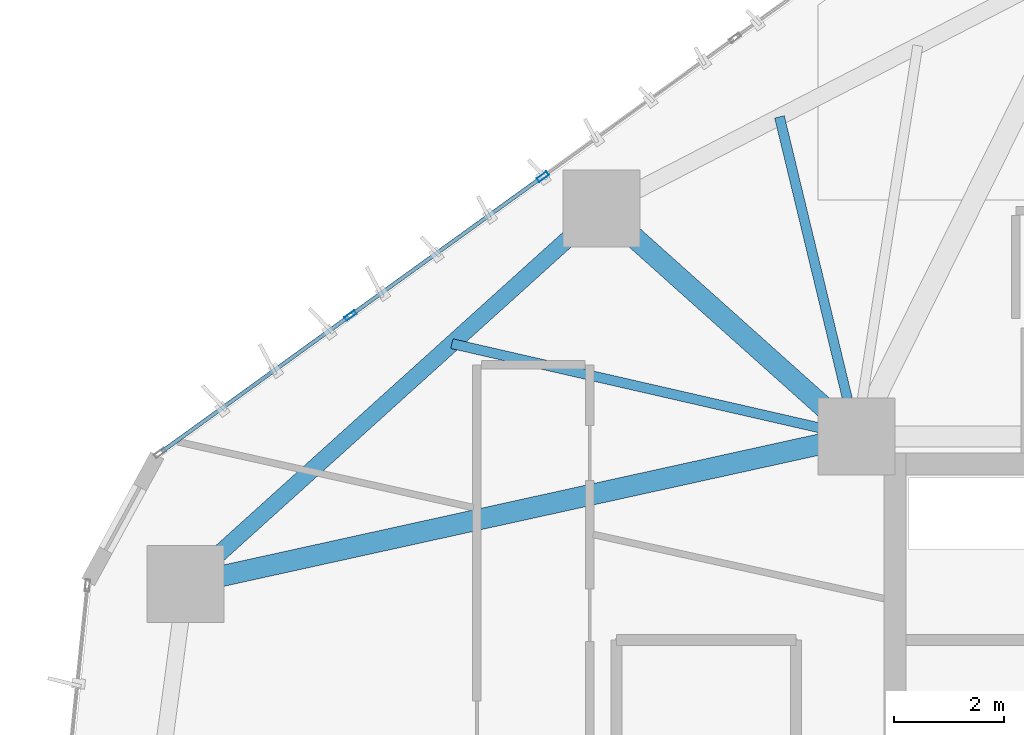
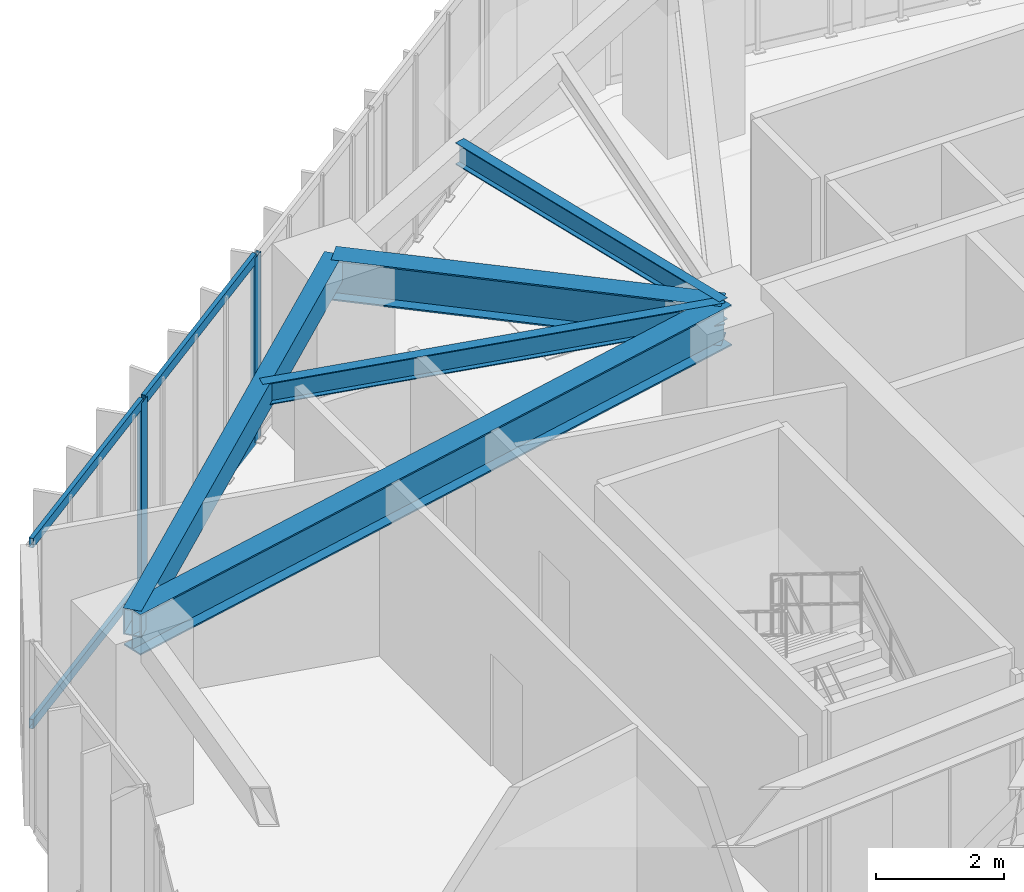
# One storey, part 7 of 22: 6 members, 5 beams, 1 element without a shape of its own.
"""IFC4 building model written with IfcOpenShell, lengths in metres."""

from ifc_helpers import new_model, si_unit, direction, frame, origin, origin_2d, place, context, subcontext, project, spatial, hollow_rectangle, i_section, extrude, source, transform, mapped, material, layer, layer_set, material_profile, profile_set, type_object, type_shapes, element, aggregate, save


model = new_model("IFC4")

# Units and contexts
model_context = context("Model", 3, precision=1e-05, world=origin(), true_north=direction((0.0, 1.0)))
body_context = subcontext(model_context, "Body", "Model", "MODEL_VIEW")
ifc_project = project(units=[si_unit("LENGTHUNIT", "METRE"), si_unit("AREAUNIT", "SQUARE_METRE"), si_unit("VOLUMEUNIT", "CUBIC_METRE"), si_unit("PLANEANGLEUNIT", "RADIAN"), si_unit("MASSUNIT", "GRAM", prefix="KILO")], contexts=[model_context])

# Site, building, storey
site_placement = place(None, origin())
site = spatial("IfcSite", under=ifc_project, at=site_placement, CompositionType="ELEMENT")
building_placement = place(site_placement, origin())
building = spatial("IfcBuilding", under=site, at=building_placement, Name="Talar Marvaseh", CompositionType="ELEMENT")
storey_placement = place(building_placement, frame((0.0, 0.0, 65.800048828125)))
storey = spatial("IfcBuildingStorey", under=building, at=storey_placement, Name="L16", CompositionType="ELEMENT", Elevation=65.800048828125)

# Beams
ifc_material_1 = material(Name="Steel S355", Category="steel")
ifc_material_profile_1 = material_profile(ifc_material_1, hollow_rectangle(XDim=0.300048828125, YDim=0.5, WallThickness=0.02001953125, at=origin_2d()), Name="RHS500x300x20")
ifc_profile_set_1 = profile_set([ifc_material_profile_1], Name="Steel S355")
beam_type_1 = type_object("IfcBeamType", Name="Zone 1 Perimeter Spandrel Beam RHS500x300x20", PredefinedType="SPANDREL", material=ifc_profile_set_1)
beam_1_placement = place(storey_placement, frame((6.501953125, 34.214111328125, 3.27001953125), z_axis=(0.742394279812, 0.669963232799, 0.0), x_axis=(-0.669963232799, 0.742394279812, 0.0)))
element("IfcBeam", 1, at=beam_1_placement, inside=storey, type_object=beam_type_1, Name="L16 Zone 1 Perimeter Spandrel Beam RHS500x300x20", PredefinedType="SPANDREL", context=body_context, shape_type="SweptSolid", body=[
    extrude(hollow_rectangle(XDim=0.300048828125, YDim=0.5, WallThickness=0.02001953125, at=origin_2d()), origin(), (0.0, 0.0, 1.0), 10.19287109375),
])
ifc_material_profile_2 = material_profile(ifc_material_1, i_section(OverallWidth=0.381103515625, OverallDepth=0.77294921875, WebThickness=0.0166015625, FlangeThickness=0.027099609375, at=origin_2d()), Name="W760x257")
ifc_profile_set_2 = profile_set([ifc_material_profile_2], Name="Steel S355")
beam_type_2 = type_object("IfcBeamType", Name="Zone 1 Radial Floor Girder W760x257", PredefinedType="BEAM", material=ifc_profile_set_2)
beam_2_placement = place(storey_placement, frame((6.501953125, 34.214111328125, 3.133544921875), z_axis=(0.976606962034, 0.215032187606, 0.0), x_axis=(-0.215032187606, 0.976606962034, 0.0)))
element("IfcBeam", 2, at=beam_2_placement, inside=storey, type_object=beam_type_2, Name="L16 Zone 1 Radial Floor Girder W760x257", PredefinedType="BEAM", context=body_context, shape_type="SweptSolid", body=[
    extrude(i_section(OverallWidth=0.381103515625, OverallDepth=0.77294921875, WebThickness=0.0166015625, FlangeThickness=0.027099609375, at=origin_2d()), origin(), (0.0, 0.0, 1.0), 12.490234375),
])
beam_3_placement = place(storey_placement, frame((14.069091796875, 41.04296875, 3.133544921875), z_axis=(0.745268030676, -0.666764997921, 0.0), x_axis=(0.666764997921, 0.745268030676, 0.0)))
element("IfcBeam", 3, at=beam_3_placement, inside=storey, type_object=beam_type_2, Name="L16 Zone 1 Radial Floor Girder W760x257", PredefinedType="BEAM", context=body_context, shape_type="SweptSolid", body=[
    extrude(i_section(OverallWidth=0.381103515625, OverallDepth=0.77294921875, WebThickness=0.0166015625, FlangeThickness=0.027099609375, at=origin_2d()), origin(), (0.0, 0.0, 1.0), 6.213623046875),
])
ifc_material_profile_3 = material_profile(ifc_material_1, i_section(OverallWidth=0.179931640625, OverallDepth=0.4130859375, WebThickness=0.009765625, FlangeThickness=0.01611328125, at=origin_2d()), Name="W410x75")
ifc_profile_set_3 = profile_set([ifc_material_profile_3], Name="Steel S355")
beam_type_3 = type_object("IfcBeamType", Name="Zone 1 Secondary Floor Joist W410x75", PredefinedType="JOIST", material=ifc_profile_set_3)
beam_4_placement = place(storey_placement, frame((11.344970703125, 38.584716796875, 3.3134765625), z_axis=(0.974752568621, -0.223287773885, 0.0), x_axis=(0.223287773885, 0.974752568621, 0.0)))
element("IfcBeam", 4, at=beam_4_placement, inside=storey, type_object=beam_type_3, Name="L16 Zone 1 Secondary Floor Joist W410x75", PredefinedType="JOIST", context=body_context, shape_type="SweptSolid", body=[
    extrude(i_section(OverallWidth=0.179931640625, OverallDepth=0.4130859375, WebThickness=0.009765625, FlangeThickness=0.01611328125, at=origin_2d()), origin(), (0.0, 0.0, 1.0), 7.54541015625),
])
beam_5_placement = place(storey_placement, frame((17.301025390625, 42.70751953125, 3.3134765625), z_axis=(0.234179742477, -0.972193318334, 0.0), x_axis=(0.972193318334, 0.234179742477, 0.0)))
element("IfcBeam", 5, at=beam_5_placement, inside=storey, type_object=beam_type_3, Name="L16 Zone 1 Secondary Floor Joist W410x75", PredefinedType="JOIST", context=body_context, shape_type="SweptSolid", body=[
    extrude(i_section(OverallWidth=0.179931640625, OverallDepth=0.4130859375, WebThickness=0.009765625, FlangeThickness=0.01611328125, at=origin_2d()), origin(), (0.0, 0.0, 1.0), 5.9736328125),
])

# Curtain wall, members
ifc_material_2 = material(Name="Architectural Aluminium", Category="aluminium")
ifc_layer = layer(ifc_material_2, 0.219970703125)
ifc_layer_set = layer_set([ifc_layer], Name="Architectural Aluminium")
curtain_wall_type = type_object("IfcCurtainWallType", Name="Unitised Low-E Museum Curtain Wall Z1", PredefinedType="NOTDEFINED", material=ifc_layer_set)
curtain_wall_placement = place(storey_placement, origin())
curtain_wall = element("IfcCurtainWall", 6, at=curtain_wall_placement, inside=storey, type_object=curtain_wall_type, Name="L16 Unitised Low-E Museum Curtain Wall Z1", PredefinedType="NOTDEFINED")
ifc_material_profile_4 = material_profile(ifc_material_2, hollow_rectangle(XDim=0.080078125, YDim=0.219970703125, WallThickness=0.0048828125, at=origin_2d()), Name="RHS220x80x5")
ifc_profile_set_4 = profile_set([ifc_material_profile_4], Name="Architectural Aluminium")
member_type_1 = type_object("IfcMemberType", Name="Unitised Curtain Wall Heavy Mullion RHS220x80x5", PredefinedType="MULLION", material=ifc_profile_set_4)
shared_shape_1 = source(origin(), body_context, "Body", "SweptSolid", [
    extrude(hollow_rectangle(XDim=0.080078125, YDim=0.219970703125, WallThickness=0.0048828125, at=origin_2d()), origin(), (0.0, 0.0, 1.0), 3.52001953125),
])
type_shapes(member_type_1, [shared_shape_1])
member_1_placement = place(storey_placement, frame((9.50244140625, 39.0966796875, 0.0), z_axis=(0.0, 0.0, 1.0), x_axis=(-0.58520918329, 0.810882366187, 0.0)))
member_1 = element("IfcMember", 7, at=member_1_placement, type_object=member_type_1, Name="CW-Z1 mullion 2", PredefinedType="MULLION", context=body_context, shape_type="MappedRepresentation", body=[
    mapped(shared_shape_1, transform((0.0, 0.0, 0.0), x_axis=(1.0, 0.0, 0.0), y_axis=(0.0, 1.0, 0.0), z_axis=(0.0, 0.0, 1.0), scale=1.0)),
])
member_2_placement = place(storey_placement, frame((12.998779296875, 41.6201171875, 0.0), z_axis=(0.0, 0.0, 1.0), x_axis=(-0.58520918329, 0.810882366187, 0.0)))
member_2 = element("IfcMember", 8, at=member_2_placement, type_object=member_type_1, Name="CW-Z1 mullion 3", PredefinedType="MULLION", context=body_context, shape_type="MappedRepresentation", body=[
    mapped(shared_shape_1, transform((0.0, 0.0, 0.0), x_axis=(1.0, 0.0, 0.0), y_axis=(0.0, 1.0, 0.0), z_axis=(0.0, 0.0, 1.0), scale=1.0)),
])
ifc_material_profile_5 = material_profile(ifc_material_2, hollow_rectangle(XDim=0.074951171875, YDim=0.179931640625, WallThickness=0.0048828125, at=origin_2d()), Name="RHS180x75x5")
ifc_profile_set_5 = profile_set([ifc_material_profile_5], Name="Architectural Aluminium")
member_type_2 = type_object("IfcMemberType", Name="Unitised Curtain Wall Transom RHS180x75x5", PredefinedType="USERDEFINED", material=ifc_profile_set_5)
shared_shape_2 = source(origin(), body_context, "Body", "SweptSolid", [
    extrude(hollow_rectangle(XDim=0.074951171875, YDim=0.179931640625, WallThickness=0.0048828125, at=origin_2d()), origin(), (0.0, 0.0, 1.0), 4.19189453125),
])
member_3_placement = place(storey_placement, frame((6.07080078125, 36.6201171875, 0.037353515625), z_axis=(0.810886505331, 0.585203447933, 0.0), x_axis=(-0.585203447933, 0.810886505331, 0.0)))
member_3 = element("IfcMember", 9, at=member_3_placement, type_object=member_type_2, Name="CW-Z1 transom 1.1", ObjectType="TRANSOM", PredefinedType="USERDEFINED", context=body_context, shape_type="MappedRepresentation", body=[
    mapped(shared_shape_2, transform((0.0, 0.0, 0.0), x_axis=(1.0, 0.0, 0.0), y_axis=(0.0, 1.0, 0.0), z_axis=(0.0, 0.0, 1.0), scale=1.0)),
])
member_4_placement = place(storey_placement, frame((6.07080078125, 36.6201171875, 3.482421875), z_axis=(0.810886505331, 0.585203447933, 0.0), x_axis=(-0.585203447933, 0.810886505331, 0.0)))
member_4 = element("IfcMember", 10, at=member_4_placement, type_object=member_type_2, Name="CW-Z1 transom 1.2", ObjectType="TRANSOM", PredefinedType="USERDEFINED", context=body_context, shape_type="MappedRepresentation", body=[
    mapped(shared_shape_2, transform((0.0, 0.0, 0.0), x_axis=(1.0, 0.0, 0.0), y_axis=(0.0, 1.0, 0.0), z_axis=(0.0, 0.0, 1.0), scale=1.0)),
])
shared_shape_3 = source(origin(), body_context, "Body", "SweptSolid", [
    extrude(hollow_rectangle(XDim=0.074951171875, YDim=0.179931640625, WallThickness=0.0048828125, at=origin_2d()), origin(), (0.0, 0.0, 1.0), 4.23193359375),
])
type_shapes(member_type_2, [shared_shape_2, shared_shape_3])
member_5_placement = place(storey_placement, frame((9.53466796875, 39.1201171875, 0.037353515625), z_axis=(0.810886064897, 0.585204058218, 0.0), x_axis=(-0.585204058218, 0.810886064897, 0.0)))
member_5 = element("IfcMember", 11, at=member_5_placement, type_object=member_type_2, Name="CW-Z1 transom 2.1", ObjectType="TRANSOM", PredefinedType="USERDEFINED", context=body_context, shape_type="MappedRepresentation", body=[
    mapped(shared_shape_3, transform((0.0, 0.0, 0.0), x_axis=(1.0, 0.0, 0.0), y_axis=(0.0, 1.0, 0.0), z_axis=(0.0, 0.0, 1.0), scale=1.0)),
])
member_6_placement = place(storey_placement, frame((9.53466796875, 39.1201171875, 3.482421875), z_axis=(0.810886064897, 0.585204058218, 0.0), x_axis=(-0.585204058218, 0.810886064897, 0.0)))
member_6 = element("IfcMember", 12, at=member_6_placement, type_object=member_type_2, Name="CW-Z1 transom 2.2", ObjectType="TRANSOM", PredefinedType="USERDEFINED", context=body_context, shape_type="MappedRepresentation", body=[
    mapped(shared_shape_3, transform((0.0, 0.0, 0.0), x_axis=(1.0, 0.0, 0.0), y_axis=(0.0, 1.0, 0.0), z_axis=(0.0, 0.0, 1.0), scale=1.0)),
])
aggregate(curtain_wall, [member_1, member_2, member_3, member_4, member_5, member_6])

save(model, "model.ifc")
